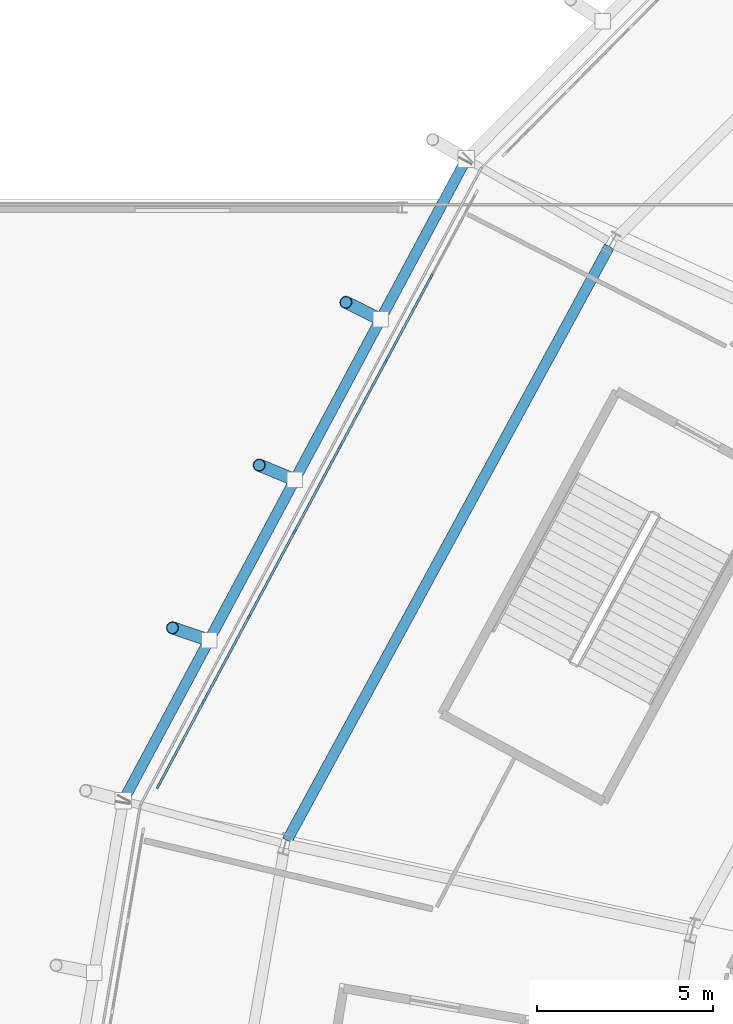
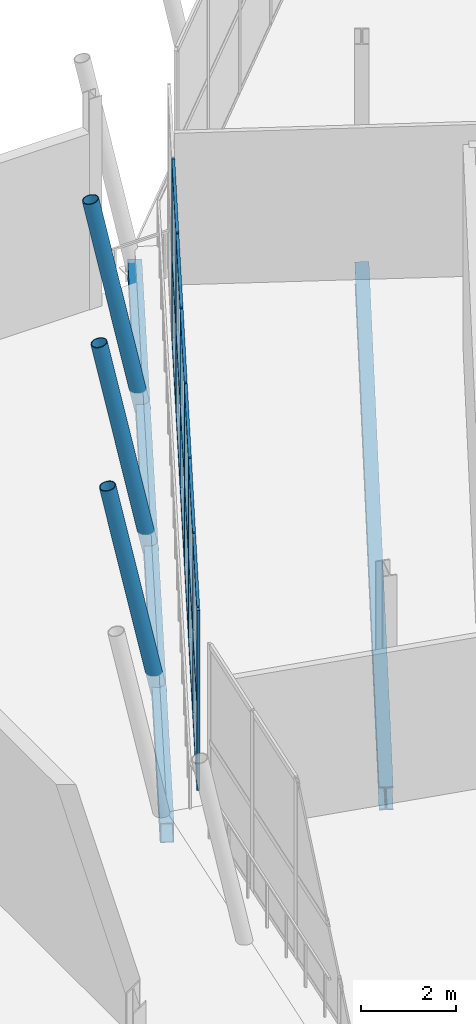
# One storey, part 30 of 126: 28 members, 2 beams, 1 element without a shape of its own.
"""IFC4 building model written with IfcOpenShell, lengths in metres."""

from ifc_helpers import new_model, si_unit, direction, frame, origin, origin_2d, place, context, subcontext, project, spatial, rectangle, hollow_rectangle, hollow_circle, i_section, extrude, material, material_profile, profile_set, type_object, element, aggregate, save


model = new_model("IFC4")

# Units and contexts
model_context = context("Model", 3, precision=1e-05, world=origin(), true_north=direction((0.0, 1.0)))
body_context = subcontext(model_context, "Body", "Model", "MODEL_VIEW")
ifc_project = project(units=[si_unit("LENGTHUNIT", "METRE"), si_unit("AREAUNIT", "SQUARE_METRE"), si_unit("VOLUMEUNIT", "CUBIC_METRE"), si_unit("PLANEANGLEUNIT", "RADIAN"), si_unit("MASSUNIT", "GRAM", prefix="KILO")], contexts=[model_context])

# Site, building, storey
site_placement = place(None, origin())
site = spatial("IfcSite", under=ifc_project, at=site_placement, CompositionType="ELEMENT")
building_placement = place(site_placement, origin())
building = spatial("IfcBuilding", under=site, at=building_placement, Name="Zlatoyarsky Gate Stadium", CompositionType="ELEMENT")
storey_placement = place(building_placement, frame((0.0, 0.0, 20.800048828125)))
storey = spatial("IfcBuildingStorey", under=building, at=storey_placement, Name="L04", CompositionType="ELEMENT", Elevation=20.800048828125)

# Curtain wall, members
ifc_material_1 = material(Name="Thermally broken anodised aluminium curtain wall", Category="aluminium")
curtain_wall_type = type_object("IfcCurtainWallType", Name="UNITISED MEDIA RING GLAZING L04", PredefinedType="USERDEFINED", material=ifc_material_1)
curtain_wall_placement = place(storey_placement, origin())
curtain_wall = element("IfcCurtainWall", 1, at=curtain_wall_placement, inside=storey, type_object=curtain_wall_type, Name="Curtain wall CW-L04-10", ObjectType="UNITISED GLAZING", PredefinedType="USERDEFINED")
ifc_material_2 = material(Name="Anodised aluminium 6063-T6", Category="aluminium")
ifc_material_profile_1 = material_profile(ifc_material_2, rectangle(XDim=0.06494140625, YDim=0.159912109375, at=origin_2d()), Name="ALU 65X160")
ifc_profile_set_1 = profile_set([ifc_material_profile_1], Name="Anodised aluminium 6063-T6")
member_type_1 = type_object("IfcMemberType", Name="ALUMINIUM MULLION 65X160", PredefinedType="MULLION", material=ifc_profile_set_1)
member_1_placement = place(storey_placement, frame((25.330810546875, 114.5390625, 0.0), z_axis=(0.0, 0.0, 1.0), x_axis=(0.881520920878, -0.472144962966, 0.0)))
member_1 = element("IfcMember", 2, at=member_1_placement, type_object=member_type_1, Name="CW-UG4 mullion 2", PredefinedType="MULLION", context=body_context, shape_type="SweptSolid", body=[
    extrude(rectangle(XDim=0.06494140625, YDim=0.159912109375, at=origin_2d()), origin(), (0.0, 0.0, 1.0), 4.619873046875),
])
member_2_placement = place(storey_placement, frame((24.033203125, 112.1162109375, 0.0), z_axis=(0.0, 0.0, 1.0), x_axis=(0.881520920878, -0.472144962966, 0.0)))
member_2 = element("IfcMember", 3, at=member_2_placement, type_object=member_type_1, Name="CW-UG4 mullion 3", PredefinedType="MULLION", context=body_context, shape_type="SweptSolid", body=[
    extrude(rectangle(XDim=0.06494140625, YDim=0.159912109375, at=origin_2d()), origin(), (0.0, 0.0, 1.0), 4.619873046875),
])
member_3_placement = place(storey_placement, frame((22.7353515625, 109.693603515625, 0.0), z_axis=(0.0, 0.0, 1.0), x_axis=(0.881520920878, -0.472144962966, 0.0)))
member_3 = element("IfcMember", 4, at=member_3_placement, type_object=member_type_1, Name="CW-UG4 mullion 4", PredefinedType="MULLION", context=body_context, shape_type="SweptSolid", body=[
    extrude(rectangle(XDim=0.06494140625, YDim=0.159912109375, at=origin_2d()), origin(), (0.0, 0.0, 1.0), 4.619873046875),
])
member_4_placement = place(storey_placement, frame((21.437744140625, 107.270751953125, 0.0), z_axis=(0.0, 0.0, 1.0), x_axis=(0.881520920878, -0.472144962966, 0.0)))
member_4 = element("IfcMember", 5, at=member_4_placement, type_object=member_type_1, Name="CW-UG4 mullion 5", PredefinedType="MULLION", context=body_context, shape_type="SweptSolid", body=[
    extrude(rectangle(XDim=0.06494140625, YDim=0.159912109375, at=origin_2d()), origin(), (0.0, 0.0, 1.0), 4.619873046875),
])
member_5_placement = place(storey_placement, frame((20.14013671875, 104.847900390625, 0.0), z_axis=(0.0, 0.0, 1.0), x_axis=(0.881520920878, -0.472144962966, 0.0)))
member_5 = element("IfcMember", 6, at=member_5_placement, type_object=member_type_1, Name="CW-UG4 mullion 6", PredefinedType="MULLION", context=body_context, shape_type="SweptSolid", body=[
    extrude(rectangle(XDim=0.06494140625, YDim=0.159912109375, at=origin_2d()), origin(), (0.0, 0.0, 1.0), 4.619873046875),
])
member_6_placement = place(storey_placement, frame((18.842529296875, 102.42529296875, 0.0), z_axis=(0.0, 0.0, 1.0), x_axis=(0.881520920878, -0.472144962966, 0.0)))
member_6 = element("IfcMember", 7, at=member_6_placement, type_object=member_type_1, Name="CW-UG4 mullion 7", PredefinedType="MULLION", context=body_context, shape_type="SweptSolid", body=[
    extrude(rectangle(XDim=0.06494140625, YDim=0.159912109375, at=origin_2d()), origin(), (0.0, 0.0, 1.0), 4.619873046875),
])
member_7_placement = place(storey_placement, frame((17.560302734375, 100.031005859375, 0.0), z_axis=(0.0, 0.0, 1.0), x_axis=(0.881520920878, -0.472144962966, 0.0)))
member_7 = element("IfcMember", 8, at=member_7_placement, type_object=member_type_1, Name="CW-UG4 mullion 8", PredefinedType="MULLION", context=body_context, shape_type="SweptSolid", body=[
    extrude(rectangle(XDim=0.06494140625, YDim=0.159912109375, at=origin_2d()), origin(), (0.0, 0.0, 1.0), 4.619873046875),
])
ifc_material_profile_2 = material_profile(ifc_material_2, rectangle(XDim=0.06494140625, YDim=0.139892578125, at=origin_2d()), Name="ALU 65X140")
ifc_profile_set_2 = profile_set([ifc_material_profile_2], Name="Anodised aluminium 6063-T6")
member_type_2 = type_object("IfcMemberType", Name="ALUMINIUM TRANSOM 65X140", PredefinedType="USERDEFINED", material=ifc_profile_set_2)
member_8_placement = place(storey_placement, frame((25.3154296875, 114.510498046875, 0.032470703125), z_axis=(-0.47218354153, -0.88150025701, 0.0), x_axis=(0.88150025701, -0.47218354153, 0.0)))
member_8 = element("IfcMember", 9, at=member_8_placement, type_object=member_type_2, Name="CW-UG4 transom 2.1", ObjectType="TRANSOM", PredefinedType="USERDEFINED", context=body_context, shape_type="SweptSolid", body=[
    extrude(rectangle(XDim=0.06494140625, YDim=0.139892578125, at=origin_2d()), origin(), (0.0, 0.0, 1.0), 2.683349609375),
])
member_9_placement = place(storey_placement, frame((25.3154296875, 114.510498046875, 2.14990234375), z_axis=(-0.47218354153, -0.88150025701, 0.0), x_axis=(0.88150025701, -0.47218354153, 0.0)))
member_9 = element("IfcMember", 10, at=member_9_placement, type_object=member_type_2, Name="CW-UG4 transom 2.2", ObjectType="TRANSOM", PredefinedType="USERDEFINED", context=body_context, shape_type="SweptSolid", body=[
    extrude(rectangle(XDim=0.06494140625, YDim=0.139892578125, at=origin_2d()), origin(), (0.0, 0.0, 1.0), 2.683349609375),
])
member_10_placement = place(storey_placement, frame((25.3154296875, 114.510498046875, 4.58740234375), z_axis=(-0.47218354153, -0.88150025701, 0.0), x_axis=(0.88150025701, -0.47218354153, 0.0)))
member_10 = element("IfcMember", 11, at=member_10_placement, type_object=member_type_2, Name="CW-UG4 transom 2.3", ObjectType="TRANSOM", PredefinedType="USERDEFINED", context=body_context, shape_type="SweptSolid", body=[
    extrude(rectangle(XDim=0.06494140625, YDim=0.139892578125, at=origin_2d()), origin(), (0.0, 0.0, 1.0), 2.683349609375),
])
member_11_placement = place(storey_placement, frame((24.017822265625, 112.087646484375, 0.032470703125), z_axis=(-0.47218354153, -0.88150025701, 0.0), x_axis=(0.88150025701, -0.47218354153, 0.0)))
member_11 = element("IfcMember", 12, at=member_11_placement, type_object=member_type_2, Name="CW-UG4 transom 3.1", ObjectType="TRANSOM", PredefinedType="USERDEFINED", context=body_context, shape_type="SweptSolid", body=[
    extrude(rectangle(XDim=0.06494140625, YDim=0.139892578125, at=origin_2d()), origin(), (0.0, 0.0, 1.0), 2.683349609375),
])
member_12_placement = place(storey_placement, frame((24.017822265625, 112.087646484375, 2.14990234375), z_axis=(-0.47218354153, -0.88150025701, 0.0), x_axis=(0.88150025701, -0.47218354153, 0.0)))
member_12 = element("IfcMember", 13, at=member_12_placement, type_object=member_type_2, Name="CW-UG4 transom 3.2", ObjectType="TRANSOM", PredefinedType="USERDEFINED", context=body_context, shape_type="SweptSolid", body=[
    extrude(rectangle(XDim=0.06494140625, YDim=0.139892578125, at=origin_2d()), origin(), (0.0, 0.0, 1.0), 2.683349609375),
])
member_13_placement = place(storey_placement, frame((24.017822265625, 112.087646484375, 4.58740234375), z_axis=(-0.47218354153, -0.88150025701, 0.0), x_axis=(0.88150025701, -0.47218354153, 0.0)))
member_13 = element("IfcMember", 14, at=member_13_placement, type_object=member_type_2, Name="CW-UG4 transom 3.3", ObjectType="TRANSOM", PredefinedType="USERDEFINED", context=body_context, shape_type="SweptSolid", body=[
    extrude(rectangle(XDim=0.06494140625, YDim=0.139892578125, at=origin_2d()), origin(), (0.0, 0.0, 1.0), 2.683349609375),
])
member_14_placement = place(storey_placement, frame((22.72021484375, 109.664794921875, 0.032470703125), z_axis=(-0.47218354153, -0.88150025701, 0.0), x_axis=(0.88150025701, -0.47218354153, 0.0)))
member_14 = element("IfcMember", 15, at=member_14_placement, type_object=member_type_2, Name="CW-UG4 transom 4.1", ObjectType="TRANSOM", PredefinedType="USERDEFINED", context=body_context, shape_type="SweptSolid", body=[
    extrude(rectangle(XDim=0.06494140625, YDim=0.139892578125, at=origin_2d()), origin(), (0.0, 0.0, 1.0), 2.683349609375),
])
member_15_placement = place(storey_placement, frame((22.72021484375, 109.664794921875, 2.14990234375), z_axis=(-0.47218354153, -0.88150025701, 0.0), x_axis=(0.88150025701, -0.47218354153, 0.0)))
member_15 = element("IfcMember", 16, at=member_15_placement, type_object=member_type_2, Name="CW-UG4 transom 4.2", ObjectType="TRANSOM", PredefinedType="USERDEFINED", context=body_context, shape_type="SweptSolid", body=[
    extrude(rectangle(XDim=0.06494140625, YDim=0.139892578125, at=origin_2d()), origin(), (0.0, 0.0, 1.0), 2.683349609375),
])
member_16_placement = place(storey_placement, frame((22.72021484375, 109.664794921875, 4.58740234375), z_axis=(-0.47218354153, -0.88150025701, 0.0), x_axis=(0.88150025701, -0.47218354153, 0.0)))
member_16 = element("IfcMember", 17, at=member_16_placement, type_object=member_type_2, Name="CW-UG4 transom 4.3", ObjectType="TRANSOM", PredefinedType="USERDEFINED", context=body_context, shape_type="SweptSolid", body=[
    extrude(rectangle(XDim=0.06494140625, YDim=0.139892578125, at=origin_2d()), origin(), (0.0, 0.0, 1.0), 2.683349609375),
])
member_17_placement = place(storey_placement, frame((21.42236328125, 107.241943359375, 0.032470703125), z_axis=(-0.472150710596, -0.881517842408, 0.0), x_axis=(0.881517842408, -0.472150710596, 0.0)))
member_17 = element("IfcMember", 18, at=member_17_placement, type_object=member_type_2, Name="CW-UG4 transom 5.1", ObjectType="TRANSOM", PredefinedType="USERDEFINED", context=body_context, shape_type="SweptSolid", body=[
    extrude(rectangle(XDim=0.06494140625, YDim=0.139892578125, at=origin_2d()), origin(), (0.0, 0.0, 1.0), 2.68310546875),
])
member_18_placement = place(storey_placement, frame((21.42236328125, 107.241943359375, 2.14990234375), z_axis=(-0.472150710596, -0.881517842408, 0.0), x_axis=(0.881517842408, -0.472150710596, 0.0)))
member_18 = element("IfcMember", 19, at=member_18_placement, type_object=member_type_2, Name="CW-UG4 transom 5.2", ObjectType="TRANSOM", PredefinedType="USERDEFINED", context=body_context, shape_type="SweptSolid", body=[
    extrude(rectangle(XDim=0.06494140625, YDim=0.139892578125, at=origin_2d()), origin(), (0.0, 0.0, 1.0), 2.68310546875),
])
member_19_placement = place(storey_placement, frame((21.42236328125, 107.241943359375, 4.58740234375), z_axis=(-0.472150710596, -0.881517842408, 0.0), x_axis=(0.881517842408, -0.472150710596, 0.0)))
member_19 = element("IfcMember", 20, at=member_19_placement, type_object=member_type_2, Name="CW-UG4 transom 5.3", ObjectType="TRANSOM", PredefinedType="USERDEFINED", context=body_context, shape_type="SweptSolid", body=[
    extrude(rectangle(XDim=0.06494140625, YDim=0.139892578125, at=origin_2d()), origin(), (0.0, 0.0, 1.0), 2.68310546875),
])
member_20_placement = place(storey_placement, frame((20.124755859375, 104.8193359375, 0.032470703125), z_axis=(-0.472112842027, -0.881538124186, 0.0), x_axis=(0.881538124186, -0.472112842027, 0.0)))
member_20 = element("IfcMember", 21, at=member_20_placement, type_object=member_type_2, Name="CW-UG4 transom 6.1", ObjectType="TRANSOM", PredefinedType="USERDEFINED", context=body_context, shape_type="SweptSolid", body=[
    extrude(rectangle(XDim=0.06494140625, YDim=0.139892578125, at=origin_2d()), origin(), (0.0, 0.0, 1.0), 2.683349609375),
])
member_21_placement = place(storey_placement, frame((20.124755859375, 104.8193359375, 2.14990234375), z_axis=(-0.472112842027, -0.881538124186, 0.0), x_axis=(0.881538124186, -0.472112842027, 0.0)))
member_21 = element("IfcMember", 22, at=member_21_placement, type_object=member_type_2, Name="CW-UG4 transom 6.2", ObjectType="TRANSOM", PredefinedType="USERDEFINED", context=body_context, shape_type="SweptSolid", body=[
    extrude(rectangle(XDim=0.06494140625, YDim=0.139892578125, at=origin_2d()), origin(), (0.0, 0.0, 1.0), 2.683349609375),
])
member_22_placement = place(storey_placement, frame((20.124755859375, 104.8193359375, 4.58740234375), z_axis=(-0.472112842027, -0.881538124186, 0.0), x_axis=(0.881538124186, -0.472112842027, 0.0)))
member_22 = element("IfcMember", 23, at=member_22_placement, type_object=member_type_2, Name="CW-UG4 transom 6.3", ObjectType="TRANSOM", PredefinedType="USERDEFINED", context=body_context, shape_type="SweptSolid", body=[
    extrude(rectangle(XDim=0.06494140625, YDim=0.139892578125, at=origin_2d()), origin(), (0.0, 0.0, 1.0), 2.683349609375),
])
member_23_placement = place(storey_placement, frame((18.8271484375, 102.396484375, 0.032470703125), z_axis=(-0.472126840824, -0.881530626906, 0.0), x_axis=(0.881530626906, -0.472126840824, 0.0)))
member_23 = element("IfcMember", 24, at=member_23_placement, type_object=member_type_2, Name="CW-UG4 transom 7.1", ObjectType="TRANSOM", PredefinedType="USERDEFINED", context=body_context, shape_type="SweptSolid", body=[
    extrude(rectangle(XDim=0.06494140625, YDim=0.139892578125, at=origin_2d()), origin(), (0.0, 0.0, 1.0), 2.650634765625),
])
member_24_placement = place(storey_placement, frame((18.8271484375, 102.396484375, 2.14990234375), z_axis=(-0.472126840824, -0.881530626906, 0.0), x_axis=(0.881530626906, -0.472126840824, 0.0)))
member_24 = element("IfcMember", 25, at=member_24_placement, type_object=member_type_2, Name="CW-UG4 transom 7.2", ObjectType="TRANSOM", PredefinedType="USERDEFINED", context=body_context, shape_type="SweptSolid", body=[
    extrude(rectangle(XDim=0.06494140625, YDim=0.139892578125, at=origin_2d()), origin(), (0.0, 0.0, 1.0), 2.650634765625),
])
member_25_placement = place(storey_placement, frame((18.8271484375, 102.396484375, 4.58740234375), z_axis=(-0.472126840824, -0.881530626906, 0.0), x_axis=(0.881530626906, -0.472126840824, 0.0)))
member_25 = element("IfcMember", 26, at=member_25_placement, type_object=member_type_2, Name="CW-UG4 transom 7.3", ObjectType="TRANSOM", PredefinedType="USERDEFINED", context=body_context, shape_type="SweptSolid", body=[
    extrude(rectangle(XDim=0.06494140625, YDim=0.139892578125, at=origin_2d()), origin(), (0.0, 0.0, 1.0), 2.650634765625),
])
aggregate(curtain_wall, [member_1, member_2, member_3, member_4, member_5, member_6, member_7, member_8, member_9, member_10, member_11, member_12, member_13, member_14, member_15, member_16, member_17, member_18, member_19, member_20, member_21, member_22, member_23, member_24, member_25])

# Members
ifc_material_3 = material(Name="Steel S355", Category="steel")
ifc_material_profile_3 = material_profile(ifc_material_3, hollow_circle(Radius=0.177734375, WallThickness=0.02001953125, at=origin_2d()), Name="CHS 355.6X20")
ifc_profile_set_3 = profile_set([ifc_material_profile_3], Name="Steel S355")
member_type_3 = type_object("IfcMemberType", Name="STEEL LEANING RIB RING STRUT CHS 355.6X20", PredefinedType="STRUT", material=ifc_profile_set_3)
member_26_placement = place(storey_placement, frame((23.88720703125, 113.316162109375, -0.550048828125), z_axis=(-0.177926851198, 0.087841760653, 0.980115228281), x_axis=(-0.442685702063, -0.896676847693, 0.0)))
element("IfcMember", 27, at=member_26_placement, inside=storey, type_object=member_type_3, Name="Outward-leaning bowl louvre fin rib L04 10-1", PredefinedType="STRUT", context=body_context, shape_type="SweptSolid", body=[
    extrude(hollow_circle(Radius=0.177734375, WallThickness=0.02001953125, at=origin_2d()), origin(), (0.0, 0.0, 1.0), 5.55029296875),
])
member_27_placement = place(storey_placement, frame((21.4453125, 108.747802734375, -0.550048828125), z_axis=(-0.182914317076, 0.075752393941, 0.980206063754), x_axis=(-0.382626535499, -0.923903097912, 0.0)))
element("IfcMember", 28, at=member_27_placement, inside=storey, type_object=member_type_3, Name="Outward-leaning bowl louvre fin rib L04 10-2", PredefinedType="STRUT", context=body_context, shape_type="SweptSolid", body=[
    extrude(hollow_circle(Radius=0.177734375, WallThickness=0.02001953125, at=origin_2d()), origin(), (0.0, 0.0, 1.0), 5.5498046875),
])
member_28_placement = place(storey_placement, frame((19.003662109375, 104.17919921875, -0.550048828125), z_axis=(-0.187911950182, 0.06373698872, 0.980115654016), x_axis=(-0.321211146144, -0.947007602711, 0.0)))
element("IfcMember", 29, at=member_28_placement, inside=storey, type_object=member_type_3, Name="Outward-leaning bowl louvre fin rib L04 10-3", PredefinedType="STRUT", context=body_context, shape_type="SweptSolid", body=[
    extrude(hollow_circle(Radius=0.177734375, WallThickness=0.02001953125, at=origin_2d()), origin(), (0.0, 0.0, 1.0), 5.55029296875),
])

# Beams
ifc_material_profile_4 = material_profile(ifc_material_3, hollow_rectangle(XDim=0.300048828125, YDim=0.5, WallThickness=0.02001953125, at=origin_2d()), Name="RHS 500X300X20")
ifc_profile_set_4 = profile_set([ifc_material_profile_4], Name="Steel S355")
beam_type_1 = type_object("IfcBeamType", Name="STEEL LOUVRE CARRIER SPANDREL RHS 500X300X20", PredefinedType="SPANDREL", material=ifc_profile_set_4)
beam_1_placement = place(storey_placement, frame((26.319580078125, 117.8671875, -0.550048828125), z_axis=(-0.471371730218, -0.881934630203, 0.0), x_axis=(0.881934630203, -0.471371730218, 0.0)))
element("IfcBeam", 30, at=beam_1_placement, inside=storey, type_object=beam_type_1, Name="Beam SP-RHS500 BM-L04-SPD-10", PredefinedType="SPANDREL", context=body_context, shape_type="SweptSolid", body=[
    extrude(hollow_rectangle(XDim=0.300048828125, YDim=0.5, WallThickness=0.02001953125, at=origin_2d()), origin(), (0.0, 0.0, 1.0), 20.6806640625),
])
ifc_material_profile_5 = material_profile(ifc_material_3, i_section(OverallWidth=0.300048828125, OverallDepth=0.60009765625, WebThickness=0.015380859375, FlangeThickness=0.030029296875, FilletRadius=0.027099609375, at=origin_2d()), Name="HEB 600")
ifc_profile_set_5 = profile_set([ifc_material_profile_5], Name="Steel S355")
beam_type_2 = type_object("IfcBeamType", Name="STEEL PRIMARY GIRDER HEB 600", PredefinedType="BEAM", material=ifc_profile_set_5)
beam_2_placement = place(storey_placement, frame((30.40234375, 115.39453125, -0.60009765625), z_axis=(-0.476891650323, -0.878962088973, 0.0), x_axis=(0.878962088973, -0.476891650323, 0.0)))
element("IfcBeam", 31, at=beam_2_placement, inside=storey, type_object=beam_type_2, Name="Beam G-HEB600 BM-L04-CRC-10", PredefinedType="BEAM", context=body_context, shape_type="SweptSolid", body=[
    extrude(i_section(OverallWidth=0.300048828125, OverallDepth=0.60009765625, WebThickness=0.015380859375, FlangeThickness=0.030029296875, FilletRadius=0.027099609375, at=origin_2d()), origin(), (0.0, 0.0, 1.0), 19.241943359375),
])

save(model, "model.ifc")
